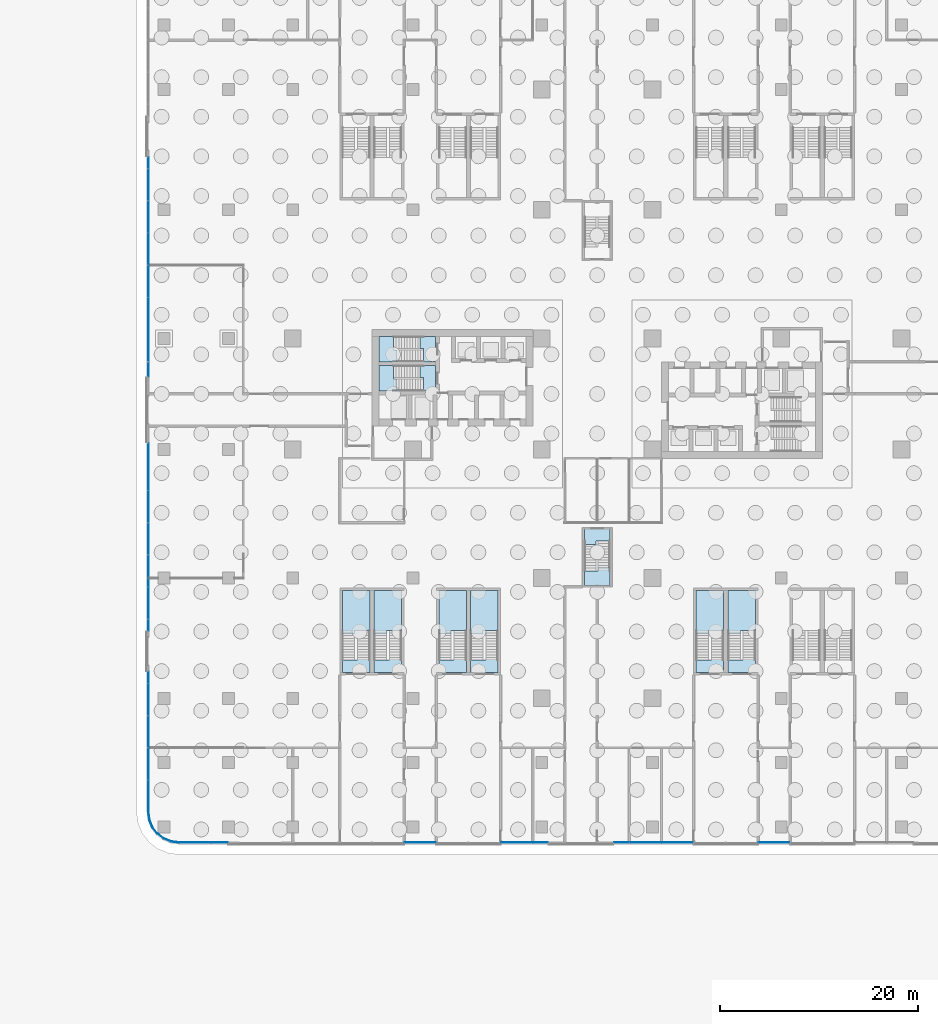
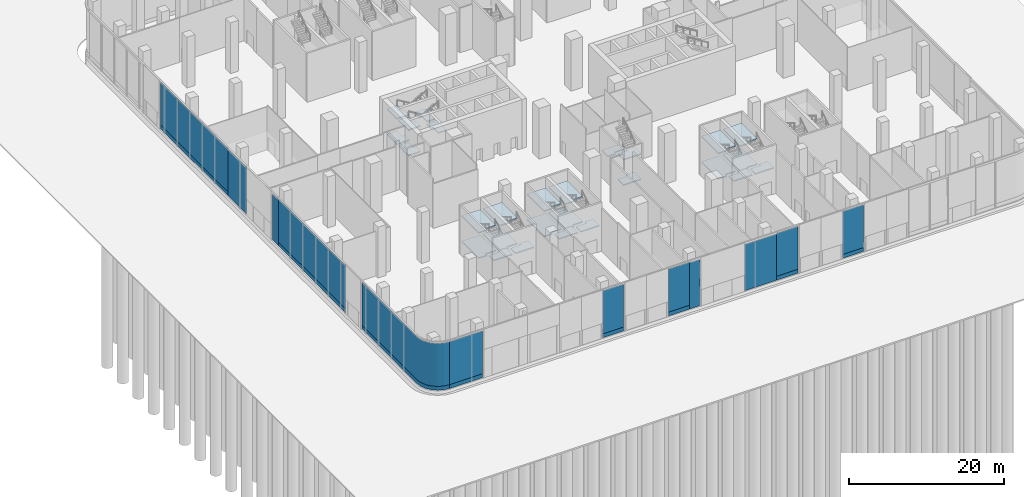
# One storey, part 13 of 27: 27 slabs, 20 plates, 21 elements without a shape of their own.
"""IFC4 building model written with IfcOpenShell, lengths in metres."""

from ifc_helpers import new_model, si_unit, direction, frame, origin, place, context, subcontext, project, spatial, polyline, outline, extrude, source, transform, mapped, material, layer, layer_set, type_object, element, aggregate, save


model = new_model("IFC4")

# Units and contexts
model_context = context("Model", 3, precision=1e-05, world=origin(), true_north=direction((0.0, 1.0)))
body_context = subcontext(model_context, "Body", "Model", "MODEL_VIEW")
ifc_project = project(units=[si_unit("LENGTHUNIT", "METRE"), si_unit("AREAUNIT", "SQUARE_METRE"), si_unit("VOLUMEUNIT", "CUBIC_METRE"), si_unit("PLANEANGLEUNIT", "RADIAN"), si_unit("MASSUNIT", "GRAM", prefix="KILO")], contexts=[model_context])

# Site, building, storey
site_placement = place(None, origin())
site = spatial("IfcSite", under=ifc_project, at=site_placement, CompositionType="ELEMENT")
building_placement = place(site_placement, origin())
building = spatial("IfcBuilding", under=site, at=building_placement, Name="Trellis Farm Tower", CompositionType="ELEMENT")
storey_placement = place(building_placement, origin())
storey = spatial("IfcBuildingStorey", under=building, at=storey_placement, Name="L00", CompositionType="ELEMENT", Elevation=0.0)

# Stair, slab
ifc_material_1 = material(Name="Concrete C50/60", Category="concrete")
stair_type_1 = type_object("IfcStairType", Name="PODIUM EXIT STAIR 48 RISERS 167 MM 1250 WIDE", PredefinedType="HALF_TURN_STAIR", material=ifc_material_1)
placement_1 = place(storey_placement, origin())
stair_1 = element("IfcStair", 1, at=placement_1, inside=storey, type_object=stair_type_1, Name="Podium exit stair STP5A", PredefinedType="HALF_TURN_STAIR")
ifc_layer_1 = layer(ifc_material_1, 0.179931640625)
ifc_layer_set_1 = layer_set([ifc_layer_1], Name="CORE STAIR LANDING 180 CONCRETE C50/60")
slab_type = type_object("IfcSlabType", Name="CORE STAIR LANDING 180 CONCRETE C50/60", PredefinedType="LANDING", material=ifc_layer_set_1)
placement_2 = place(storey_placement, frame((0.0, 0.0, 3.820068359375)))
slab_1 = element("IfcSlab", 2, at=placement_2, type_object=slab_type, Name="STP5A landing 2", PredefinedType="LANDING", context=body_context, shape_type="SweptSolid", body=[
    extrude(outline(polyline([(-22.969970703125, -28.14990234375), (-25.75, -28.14990234375), (-25.75, -26.89990234375), (-25.75, -26.889892578125), (-24.5, -26.889892578125), (-24.5, -26.89990234375), (-24.219970703125, -26.89990234375), (-24.219970703125, -26.53759765625), (-22.969970703125, -26.53759765625), (-22.969970703125, -26.89990234375), (-22.969970703125, -28.14990234375)])), origin(), (0.0, 0.0, 1.0), 0.179931640625),
])

stair_2 = element("IfcStair", 3, at=placement_1, inside=storey, type_object=stair_type_1, Name="Podium exit stair STP5B", PredefinedType="HALF_TURN_STAIR")
slab_2 = element("IfcSlab", 4, at=placement_2, type_object=slab_type, Name="STP5B landing 2", PredefinedType="LANDING", context=body_context, shape_type="SweptSolid", body=[
    extrude(outline(polyline([(-19.75, -28.14990234375), (-22.530029296875, -28.14990234375), (-22.530029296875, -26.89990234375), (-22.530029296875, -26.889892578125), (-21.280029296875, -26.889892578125), (-21.280029296875, -26.89990234375), (-21.0, -26.89990234375), (-21.0, -26.53759765625), (-19.75, -26.53759765625), (-19.75, -26.89990234375), (-19.75, -28.14990234375)])), origin(), (0.0, 0.0, 1.0), 0.179931640625),
])

stair_3 = element("IfcStair", 5, at=placement_1, inside=storey, type_object=stair_type_1, Name="Podium exit stair STP6A", PredefinedType="HALF_TURN_STAIR")
slab_3 = element("IfcSlab", 6, at=placement_2, type_object=slab_type, Name="STP6A landing 2", PredefinedType="LANDING", context=body_context, shape_type="SweptSolid", body=[
    extrude(outline(polyline([(-13.219970703125, -28.14990234375), (-16.0, -28.14990234375), (-16.0, -26.89990234375), (-16.0, -26.889892578125), (-14.75, -26.889892578125), (-14.75, -26.89990234375), (-14.469970703125, -26.89990234375), (-14.469970703125, -26.53759765625), (-13.219970703125, -26.53759765625), (-13.219970703125, -26.89990234375), (-13.219970703125, -28.14990234375)])), origin(), (0.0, 0.0, 1.0), 0.179931640625),
])

stair_4 = element("IfcStair", 7, at=placement_1, inside=storey, type_object=stair_type_1, Name="Podium exit stair STP6B", PredefinedType="HALF_TURN_STAIR")
slab_4 = element("IfcSlab", 8, at=placement_2, type_object=slab_type, Name="STP6B landing 2", PredefinedType="LANDING", context=body_context, shape_type="SweptSolid", body=[
    extrude(outline(polyline([(-10.0, -28.14990234375), (-12.780029296875, -28.14990234375), (-12.780029296875, -26.89990234375), (-12.780029296875, -26.889892578125), (-11.530029296875, -26.889892578125), (-11.530029296875, -26.89990234375), (-11.25, -26.89990234375), (-11.25, -26.53759765625), (-10.0, -26.53759765625), (-10.0, -26.89990234375), (-10.0, -28.14990234375)])), origin(), (0.0, 0.0, 1.0), 0.179931640625),
])

stair_5 = element("IfcStair", 9, at=placement_1, inside=storey, type_object=stair_type_1, Name="Podium exit stair STP7A", PredefinedType="HALF_TURN_STAIR")
slab_5 = element("IfcSlab", 10, at=placement_2, type_object=slab_type, Name="STP7A landing 2", PredefinedType="LANDING", context=body_context, shape_type="SweptSolid", body=[
    extrude(outline(polyline([(12.780029296875, -28.14990234375), (10.0, -28.14990234375), (10.0, -26.89990234375), (10.0, -26.889892578125), (11.25, -26.889892578125), (11.25, -26.89990234375), (11.530029296875, -26.89990234375), (11.530029296875, -26.53759765625), (12.780029296875, -26.53759765625), (12.780029296875, -26.89990234375), (12.780029296875, -28.14990234375)])), origin(), (0.0, 0.0, 1.0), 0.179931640625),
])

stair_6 = element("IfcStair", 11, at=placement_1, inside=storey, type_object=stair_type_1, Name="Podium exit stair STP7B", PredefinedType="HALF_TURN_STAIR")
slab_6 = element("IfcSlab", 12, at=placement_2, type_object=slab_type, Name="STP7B landing 2", PredefinedType="LANDING", context=body_context, shape_type="SweptSolid", body=[
    extrude(outline(polyline([(16.0, -28.14990234375), (13.219970703125, -28.14990234375), (13.219970703125, -26.89990234375), (13.219970703125, -26.889892578125), (14.469970703125, -26.889892578125), (14.469970703125, -26.89990234375), (14.75, -26.89990234375), (14.75, -26.53759765625), (16.0, -26.53759765625), (16.0, -26.89990234375), (16.0, -28.14990234375)])), origin(), (0.0, 0.0, 1.0), 0.179931640625),
])

# Curtain wall, plate
ifc_material_2 = material(Name="Aluminium and glass curtain wall", Category="aluminium")
ifc_layer_2 = layer(ifc_material_2, 0.201904296875)
ifc_layer_set_2 = layer_set([ifc_layer_2], Name="SHOPFRONT CURTAIN WALL CW2")
curtain_wall_type_1 = type_object("IfcCurtainWallType", Name="SHOPFRONT CURTAIN WALL CW2", PredefinedType="NOTDEFINED", material=ifc_layer_set_2)
curtain_wall_1 = element("IfcCurtainWall", 13, at=placement_1, inside=storey, type_object=curtain_wall_type_1, Name="CW2 012", PredefinedType="NOTDEFINED")
ifc_material_3 = material(Name="Clear insulated glass", Category="glass")
ifc_layer_3 = layer(ifc_material_3, 0.052001953125)
ifc_layer_set_3 = layer_set([ifc_layer_3], Name="CW2 GLASS PANEL 52")
plate_type_1 = type_object("IfcPlateType", Name="CW2 GLASS PANEL 52", PredefinedType="CURTAIN_PANEL", material=ifc_layer_set_3)
placement_3 = place(storey_placement, frame((0.0, 0.0, 0.60009765625)))
plate_1 = element("IfcPlate", 14, at=placement_3, type_object=plate_type_1, Name="PL2 012", PredefinedType="CURTAIN_PANEL", context=body_context, shape_type="SweptSolid", body=[
    extrude(outline(polyline([(-45.35009765625, 23.919921875), (-45.35009765625, 6.5), (-45.298095703125, 6.5), (-45.298095703125, 23.919921875), (-45.35009765625, 23.919921875)])), origin(), (0.0, 0.0, 1.0), 6.7998046875),
])

curtain_wall_2 = element("IfcCurtainWall", 15, at=placement_1, inside=storey, type_object=curtain_wall_type_1, Name="CW2 013", PredefinedType="NOTDEFINED")
plate_2 = element("IfcPlate", 16, at=placement_3, type_object=plate_type_1, Name="PL2 013", PredefinedType="CURTAIN_PANEL", context=body_context, shape_type="SweptSolid", body=[
    extrude(outline(polyline([(-45.35009765625, -6.5), (-45.35009765625, -23.919921875), (-45.298095703125, -23.919921875), (-45.298095703125, -6.5), (-45.35009765625, -6.5)])), origin(), (0.0, 0.0, 1.0), 6.7998046875),
])

curtain_wall_3 = element("IfcCurtainWall", 17, at=placement_1, inside=storey, type_object=curtain_wall_type_1, Name="CW2 014", PredefinedType="NOTDEFINED")
plate_3 = element("IfcPlate", 18, at=placement_3, type_object=plate_type_1, Name="PL2 014", PredefinedType="CURTAIN_PANEL", context=body_context, shape_type="SweptSolid", body=[
    extrude(outline(polyline([(-45.35009765625, -28.080078125), (-45.35009765625, -42.240234375), (-45.2431640625, -43.052001953125), (-44.93359375, -43.79931640625), (-44.441162109375, -44.441162109375), (-43.79931640625, -44.93359375), (-43.052001953125, -45.2431640625), (-42.240234375, -45.35009765625), (-42.23681640625, -45.298095703125), (-43.038330078125, -45.1923828125), (-43.773193359375, -44.88818359375), (-44.404052734375, -44.404052734375), (-44.88818359375, -43.773193359375), (-45.1923828125, -43.038330078125), (-45.298095703125, -42.23681640625), (-45.298095703125, -28.080078125), (-45.35009765625, -28.080078125)])), origin(), (0.0, 0.0, 1.0), 6.7998046875),
])

curtain_wall_4 = element("IfcCurtainWall", 19, at=placement_1, inside=storey, type_object=curtain_wall_type_1, Name="CW2 015", PredefinedType="NOTDEFINED")
plate_4 = element("IfcPlate", 20, at=placement_3, type_object=plate_type_1, Name="PL2 015", PredefinedType="CURTAIN_PANEL", context=body_context, shape_type="SweptSolid", body=[
    extrude(outline(polyline([(-42.240234375, -45.35009765625), (-37.330078125, -45.35009765625), (-37.330078125, -45.298095703125), (-42.23681640625, -45.298095703125), (-42.240234375, -45.35009765625)])), origin(), (0.0, 0.0, 1.0), 6.7998046875),
])

curtain_wall_5 = element("IfcCurtainWall", 21, at=placement_1, inside=storey, type_object=curtain_wall_type_1, Name="CW2 016", PredefinedType="NOTDEFINED")
plate_5 = element("IfcPlate", 22, at=placement_3, type_object=plate_type_1, Name="PL2 016", PredefinedType="CURTAIN_PANEL", context=body_context, shape_type="SweptSolid", body=[
    extrude(outline(polyline([(-19.419921875, -45.35009765625), (-16.330078125, -45.35009765625), (-16.330078125, -45.298095703125), (-19.419921875, -45.298095703125), (-19.419921875, -45.35009765625)])), origin(), (0.0, 0.0, 1.0), 6.7998046875),
])

curtain_wall_6 = element("IfcCurtainWall", 23, at=placement_1, inside=storey, type_object=curtain_wall_type_1, Name="CW2 017", PredefinedType="NOTDEFINED")
plate_6 = element("IfcPlate", 24, at=placement_3, type_object=plate_type_1, Name="PL2 017", PredefinedType="CURTAIN_PANEL", context=body_context, shape_type="SweptSolid", body=[
    extrude(outline(polyline([(-9.669921875, -45.35009765625), (-6.5, -45.35009765625), (-6.5, -45.298095703125), (-9.669921875, -45.298095703125), (-9.669921875, -45.35009765625)])), origin(), (0.0, 0.0, 1.0), 6.7998046875),
])

curtain_wall_7 = element("IfcCurtainWall", 25, at=placement_1, inside=storey, type_object=curtain_wall_type_1, Name="CW2 018", PredefinedType="NOTDEFINED")
plate_7 = element("IfcPlate", 26, at=placement_3, type_object=plate_type_1, Name="PL2 018", PredefinedType="CURTAIN_PANEL", context=body_context, shape_type="SweptSolid", body=[
    extrude(outline(polyline([(6.5, -45.35009765625), (9.669921875, -45.35009765625), (9.669921875, -45.298095703125), (6.5, -45.298095703125), (6.5, -45.35009765625)])), origin(), (0.0, 0.0, 1.0), 6.7998046875),
])

curtain_wall_8 = element("IfcCurtainWall", 27, at=placement_1, inside=storey, type_object=curtain_wall_type_1, Name="CW2 019", PredefinedType="NOTDEFINED")
plate_8 = element("IfcPlate", 28, at=placement_3, type_object=plate_type_1, Name="PL2 019", PredefinedType="CURTAIN_PANEL", context=body_context, shape_type="SweptSolid", body=[
    extrude(outline(polyline([(16.330078125, -45.35009765625), (19.419921875, -45.35009765625), (19.419921875, -45.298095703125), (16.330078125, -45.298095703125), (16.330078125, -45.35009765625)])), origin(), (0.0, 0.0, 1.0), 6.7998046875),
])

# Plate
ifc_material_4 = material(Name="Sandstone faced insulated panel", Category="masonry")
ifc_layer_4 = layer(ifc_material_4, 0.054931640625)
ifc_layer_set_4 = layer_set([ifc_layer_4], Name="CW2 STONE SPANDREL PANEL 55")
plate_type_2 = type_object("IfcPlateType", Name="CW2 STONE SPANDREL PANEL 55", PredefinedType="CURTAIN_PANEL", material=ifc_layer_set_4)
plate_9 = element("IfcPlate", 29, at=placement_1, type_object=plate_type_2, Name="PS2 012", PredefinedType="CURTAIN_PANEL", context=body_context, shape_type="SweptSolid", body=[
    extrude(outline(polyline([(-45.35009765625, 23.919921875), (-45.35009765625, 6.5), (-45.294921875, 6.5), (-45.294921875, 23.919921875), (-45.35009765625, 23.919921875)])), origin(), (0.0, 0.0, 1.0), 0.60009765625),
])

aggregate(curtain_wall_1, [plate_1, plate_9])

plate_10 = element("IfcPlate", 30, at=placement_1, type_object=plate_type_2, Name="PS2 013", PredefinedType="CURTAIN_PANEL", context=body_context, shape_type="SweptSolid", body=[
    extrude(outline(polyline([(-45.35009765625, -6.5), (-45.35009765625, -23.919921875), (-45.294921875, -23.919921875), (-45.294921875, -6.5), (-45.35009765625, -6.5)])), origin(), (0.0, 0.0, 1.0), 0.60009765625),
])

aggregate(curtain_wall_2, [plate_2, plate_10])

plate_11 = element("IfcPlate", 31, at=placement_1, type_object=plate_type_2, Name="PS2 014", PredefinedType="CURTAIN_PANEL", context=body_context, shape_type="SweptSolid", body=[
    extrude(outline(polyline([(-45.35009765625, -28.080078125), (-45.35009765625, -42.240234375), (-45.2431640625, -43.052001953125), (-44.93359375, -43.79931640625), (-44.441162109375, -44.441162109375), (-43.79931640625, -44.93359375), (-43.052001953125, -45.2431640625), (-42.240234375, -45.35009765625), (-42.236572265625, -45.294921875), (-43.03759765625, -45.189453125), (-43.771728515625, -44.885498046875), (-44.40185546875, -44.40185546875), (-44.885498046875, -43.771728515625), (-45.189453125, -43.03759765625), (-45.294921875, -42.236572265625), (-45.294921875, -28.080078125), (-45.35009765625, -28.080078125)])), origin(), (0.0, 0.0, 1.0), 0.60009765625),
])

aggregate(curtain_wall_3, [plate_3, plate_11])

plate_12 = element("IfcPlate", 32, at=placement_1, type_object=plate_type_2, Name="PS2 015", PredefinedType="CURTAIN_PANEL", context=body_context, shape_type="SweptSolid", body=[
    extrude(outline(polyline([(-42.240234375, -45.35009765625), (-37.330078125, -45.35009765625), (-37.330078125, -45.294921875), (-42.236572265625, -45.294921875), (-42.240234375, -45.35009765625)])), origin(), (0.0, 0.0, 1.0), 0.60009765625),
])

aggregate(curtain_wall_4, [plate_4, plate_12])

plate_13 = element("IfcPlate", 33, at=placement_1, type_object=plate_type_2, Name="PS2 016", PredefinedType="CURTAIN_PANEL", context=body_context, shape_type="SweptSolid", body=[
    extrude(outline(polyline([(-19.419921875, -45.35009765625), (-16.330078125, -45.35009765625), (-16.330078125, -45.294921875), (-19.419921875, -45.294921875), (-19.419921875, -45.35009765625)])), origin(), (0.0, 0.0, 1.0), 0.60009765625),
])

aggregate(curtain_wall_5, [plate_5, plate_13])

plate_14 = element("IfcPlate", 34, at=placement_1, type_object=plate_type_2, Name="PS2 017", PredefinedType="CURTAIN_PANEL", context=body_context, shape_type="SweptSolid", body=[
    extrude(outline(polyline([(-9.669921875, -45.35009765625), (-6.5, -45.35009765625), (-6.5, -45.294921875), (-9.669921875, -45.294921875), (-9.669921875, -45.35009765625)])), origin(), (0.0, 0.0, 1.0), 0.60009765625),
])

aggregate(curtain_wall_6, [plate_6, plate_14])

plate_15 = element("IfcPlate", 35, at=placement_1, type_object=plate_type_2, Name="PS2 018", PredefinedType="CURTAIN_PANEL", context=body_context, shape_type="SweptSolid", body=[
    extrude(outline(polyline([(6.5, -45.35009765625), (9.669921875, -45.35009765625), (9.669921875, -45.294921875), (6.5, -45.294921875), (6.5, -45.35009765625)])), origin(), (0.0, 0.0, 1.0), 0.60009765625),
])

aggregate(curtain_wall_7, [plate_7, plate_15])

plate_16 = element("IfcPlate", 36, at=placement_1, type_object=plate_type_2, Name="PS2 019", PredefinedType="CURTAIN_PANEL", context=body_context, shape_type="SweptSolid", body=[
    extrude(outline(polyline([(16.330078125, -45.35009765625), (19.419921875, -45.35009765625), (19.419921875, -45.294921875), (16.330078125, -45.294921875), (16.330078125, -45.35009765625)])), origin(), (0.0, 0.0, 1.0), 0.60009765625),
])

aggregate(curtain_wall_8, [plate_8, plate_16])

# Curtain wall, plate
ifc_layer_5 = layer(ifc_material_2, 0.2099609375)
ifc_layer_set_5 = layer_set([ifc_layer_5], Name="LOBBY CURTAIN WALL CW4")
curtain_wall_type_2 = type_object("IfcCurtainWallType", Name="LOBBY CURTAIN WALL CW4", PredefinedType="NOTDEFINED", material=ifc_layer_set_5)
curtain_wall_9 = element("IfcCurtainWall", 37, at=placement_1, inside=storey, type_object=curtain_wall_type_2, Name="CW4 005", PredefinedType="NOTDEFINED")
ifc_layer_6 = layer(ifc_material_3, 0.06005859375)
ifc_layer_set_6 = layer_set([ifc_layer_6], Name="CW4 GLASS PANEL 60")
plate_type_3 = type_object("IfcPlateType", Name="CW4 GLASS PANEL 60", PredefinedType="CURTAIN_PANEL", material=ifc_layer_set_6)
plate_17 = element("IfcPlate", 38, at=placement_1, type_object=plate_type_3, Name="PL4 005", PredefinedType="CURTAIN_PANEL", context=body_context, shape_type="SweptSolid", body=[
    extrude(outline(polyline([(-45.35009765625, 6.5), (-45.35009765625, 1.72509765625), (-45.2900390625, 1.72509765625), (-45.2900390625, 6.5), (-45.35009765625, 6.5)])), origin(), (0.0, 0.0, 1.0), 7.300048828125),
])
aggregate(curtain_wall_9, [plate_17])

curtain_wall_10 = element("IfcCurtainWall", 39, at=placement_1, inside=storey, type_object=curtain_wall_type_2, Name="CW4 006", PredefinedType="NOTDEFINED")
plate_18 = element("IfcPlate", 40, at=placement_1, type_object=plate_type_3, Name="PL4 006", PredefinedType="CURTAIN_PANEL", context=body_context, shape_type="SweptSolid", body=[
    extrude(outline(polyline([(-45.35009765625, -4.97509765625), (-45.35009765625, -6.5), (-45.2900390625, -6.5), (-45.2900390625, -4.97509765625), (-45.35009765625, -4.97509765625)])), origin(), (0.0, 0.0, 1.0), 7.300048828125),
])
aggregate(curtain_wall_10, [plate_18])

curtain_wall_11 = element("IfcCurtainWall", 41, at=placement_1, inside=storey, type_object=curtain_wall_type_2, Name="CW4 007", PredefinedType="NOTDEFINED")
plate_19 = element("IfcPlate", 42, at=placement_1, type_object=plate_type_3, Name="PL4 007", PredefinedType="CURTAIN_PANEL", context=body_context, shape_type="SweptSolid", body=[
    extrude(outline(polyline([(-6.5, -45.35009765625), (-4.97509765625, -45.35009765625), (-4.97509765625, -45.2900390625), (-6.5, -45.2900390625), (-6.5, -45.35009765625)])), origin(), (0.0, 0.0, 1.0), 7.300048828125),
])
aggregate(curtain_wall_11, [plate_19])

curtain_wall_12 = element("IfcCurtainWall", 43, at=placement_1, inside=storey, type_object=curtain_wall_type_2, Name="CW4 008", PredefinedType="NOTDEFINED")
plate_20 = element("IfcPlate", 44, at=placement_1, type_object=plate_type_3, Name="PL4 008", PredefinedType="CURTAIN_PANEL", context=body_context, shape_type="SweptSolid", body=[
    extrude(outline(polyline([(1.72509765625, -45.35009765625), (6.5, -45.35009765625), (6.5, -45.2900390625), (1.72509765625, -45.2900390625), (1.72509765625, -45.35009765625)])), origin(), (0.0, 0.0, 1.0), 7.300048828125),
])
aggregate(curtain_wall_12, [plate_20])

# Stair, slabs
stair_type_2 = type_object("IfcStairType", Name="CORE EXIT STAIR 48 RISERS 167 MM", PredefinedType="HALF_TURN_STAIR", material=ifc_material_1)
stair_7 = element("IfcStair", 45, at=placement_1, inside=storey, type_object=stair_type_2, Name="Exit stair S", PredefinedType="HALF_TURN_STAIR")
shared_shape_1 = source(origin(), body_context, "Body", "SweptSolid", [
    extrude(outline(polyline([(1.300048828125, -19.35009765625), (-1.300048828125, -19.35009765625), (-1.300048828125, -17.875), (-1.300048828125, -17.864990234375), (-0.10009765625, -17.864990234375), (-0.10009765625, -17.875), (0.10009765625, -17.875), (0.10009765625, -17.512451171875), (1.300048828125, -17.512451171875), (1.300048828125, -17.875), (1.300048828125, -19.35009765625)])), origin(), (0.0, 0.0, 1.0), 0.179931640625),
])
placement_4 = place(storey_placement, frame((0.0, 0.0, 1.820068359375)))
slab_7 = element("IfcSlab", 46, at=placement_4, type_object=slab_type, Name="STS landing 1", PredefinedType="LANDING", context=body_context, shape_type="MappedRepresentation", body=[
    mapped(shared_shape_1, transform((0.0, 0.0, 0.0))),
])
placement_5 = place(storey_placement, frame((0.0, 0.0, 5.820068359375)))
slab_8 = element("IfcSlab", 47, at=placement_5, type_object=slab_type, Name="STS landing 3", PredefinedType="LANDING", context=body_context, shape_type="MappedRepresentation", body=[
    mapped(shared_shape_1, transform((0.0, 0.0, 0.0))),
])
shared_shape_2 = source(origin(), body_context, "Body", "SweptSolid", [
    extrude(outline(polyline([(-0.10009765625, -15.21240234375), (-1.300048828125, -15.21240234375), (-1.300048828125, -14.85009765625), (-1.300048828125, -13.64990234375), (1.300048828125, -13.64990234375), (1.300048828125, -14.85009765625), (1.300048828125, -14.860107421875), (0.10009765625, -14.860107421875), (0.10009765625, -14.85009765625), (-0.10009765625, -14.85009765625), (-0.10009765625, -15.21240234375)])), origin(), (0.0, 0.0, 1.0), 0.179931640625),
])
slab_9 = element("IfcSlab", 48, at=placement_2, type_object=slab_type, Name="STS landing 2", PredefinedType="LANDING", context=body_context, shape_type="MappedRepresentation", body=[
    mapped(shared_shape_2, transform((0.0, 0.0, 0.0))),
])
aggregate(stair_7, [slab_7, slab_9, slab_8])

# Slab
shared_shape_3 = source(origin(), body_context, "Body", "SweptSolid", [
    extrude(outline(polyline([(-24.5, -24.237548828125), (-25.75, -24.237548828125), (-25.75, -23.875), (-25.75, -19.85009765625), (-22.969970703125, -19.85009765625), (-22.969970703125, -23.875), (-22.969970703125, -23.885009765625), (-24.219970703125, -23.885009765625), (-24.219970703125, -23.875), (-24.5, -23.875), (-24.5, -24.237548828125)])), origin(), (0.0, 0.0, 1.0), 0.179931640625),
])
slab_10 = element("IfcSlab", 49, at=placement_4, type_object=slab_type, Name="STP5A landing 1", PredefinedType="LANDING", context=body_context, shape_type="MappedRepresentation", body=[
    mapped(shared_shape_3, transform((0.0, 0.0, 0.0))),
])

slab_11 = element("IfcSlab", 50, at=placement_5, type_object=slab_type, Name="STP5A landing 3", PredefinedType="LANDING", context=body_context, shape_type="MappedRepresentation", body=[
    mapped(shared_shape_3, transform((0.0, 0.0, 0.0))),
])

aggregate(stair_1, [slab_10, slab_1, slab_11])

shared_shape_4 = source(origin(), body_context, "Body", "SweptSolid", [
    extrude(outline(polyline([(-21.280029296875, -24.237548828125), (-22.530029296875, -24.237548828125), (-22.530029296875, -23.875), (-22.530029296875, -19.85009765625), (-19.75, -19.85009765625), (-19.75, -23.875), (-19.75, -23.885009765625), (-21.0, -23.885009765625), (-21.0, -23.875), (-21.280029296875, -23.875), (-21.280029296875, -24.237548828125)])), origin(), (0.0, 0.0, 1.0), 0.179931640625),
])
slab_12 = element("IfcSlab", 51, at=placement_4, type_object=slab_type, Name="STP5B landing 1", PredefinedType="LANDING", context=body_context, shape_type="MappedRepresentation", body=[
    mapped(shared_shape_4, transform((0.0, 0.0, 0.0))),
])

slab_13 = element("IfcSlab", 52, at=placement_5, type_object=slab_type, Name="STP5B landing 3", PredefinedType="LANDING", context=body_context, shape_type="MappedRepresentation", body=[
    mapped(shared_shape_4, transform((0.0, 0.0, 0.0))),
])

aggregate(stair_2, [slab_12, slab_2, slab_13])

shared_shape_5 = source(origin(), body_context, "Body", "SweptSolid", [
    extrude(outline(polyline([(-14.75, -24.237548828125), (-16.0, -24.237548828125), (-16.0, -23.875), (-16.0, -19.85009765625), (-13.219970703125, -19.85009765625), (-13.219970703125, -23.875), (-13.219970703125, -23.885009765625), (-14.469970703125, -23.885009765625), (-14.469970703125, -23.875), (-14.75, -23.875), (-14.75, -24.237548828125)])), origin(), (0.0, 0.0, 1.0), 0.179931640625),
])
slab_14 = element("IfcSlab", 53, at=placement_4, type_object=slab_type, Name="STP6A landing 1", PredefinedType="LANDING", context=body_context, shape_type="MappedRepresentation", body=[
    mapped(shared_shape_5, transform((0.0, 0.0, 0.0))),
])

slab_15 = element("IfcSlab", 54, at=placement_5, type_object=slab_type, Name="STP6A landing 3", PredefinedType="LANDING", context=body_context, shape_type="MappedRepresentation", body=[
    mapped(shared_shape_5, transform((0.0, 0.0, 0.0))),
])

aggregate(stair_3, [slab_14, slab_3, slab_15])

shared_shape_6 = source(origin(), body_context, "Body", "SweptSolid", [
    extrude(outline(polyline([(-11.530029296875, -24.237548828125), (-12.780029296875, -24.237548828125), (-12.780029296875, -23.875), (-12.780029296875, -19.85009765625), (-10.0, -19.85009765625), (-10.0, -23.875), (-10.0, -23.885009765625), (-11.25, -23.885009765625), (-11.25, -23.875), (-11.530029296875, -23.875), (-11.530029296875, -24.237548828125)])), origin(), (0.0, 0.0, 1.0), 0.179931640625),
])
slab_16 = element("IfcSlab", 55, at=placement_4, type_object=slab_type, Name="STP6B landing 1", PredefinedType="LANDING", context=body_context, shape_type="MappedRepresentation", body=[
    mapped(shared_shape_6, transform((0.0, 0.0, 0.0))),
])

slab_17 = element("IfcSlab", 56, at=placement_5, type_object=slab_type, Name="STP6B landing 3", PredefinedType="LANDING", context=body_context, shape_type="MappedRepresentation", body=[
    mapped(shared_shape_6, transform((0.0, 0.0, 0.0))),
])

aggregate(stair_4, [slab_16, slab_4, slab_17])

shared_shape_7 = source(origin(), body_context, "Body", "SweptSolid", [
    extrude(outline(polyline([(11.25, -24.237548828125), (10.0, -24.237548828125), (10.0, -23.875), (10.0, -19.85009765625), (12.780029296875, -19.85009765625), (12.780029296875, -23.875), (12.780029296875, -23.885009765625), (11.530029296875, -23.885009765625), (11.530029296875, -23.875), (11.25, -23.875), (11.25, -24.237548828125)])), origin(), (0.0, 0.0, 1.0), 0.179931640625),
])
slab_18 = element("IfcSlab", 57, at=placement_4, type_object=slab_type, Name="STP7A landing 1", PredefinedType="LANDING", context=body_context, shape_type="MappedRepresentation", body=[
    mapped(shared_shape_7, transform((0.0, 0.0, 0.0))),
])

slab_19 = element("IfcSlab", 58, at=placement_5, type_object=slab_type, Name="STP7A landing 3", PredefinedType="LANDING", context=body_context, shape_type="MappedRepresentation", body=[
    mapped(shared_shape_7, transform((0.0, 0.0, 0.0))),
])

aggregate(stair_5, [slab_18, slab_5, slab_19])

shared_shape_8 = source(origin(), body_context, "Body", "SweptSolid", [
    extrude(outline(polyline([(14.469970703125, -24.237548828125), (13.219970703125, -24.237548828125), (13.219970703125, -23.875), (13.219970703125, -19.85009765625), (16.0, -19.85009765625), (16.0, -23.875), (16.0, -23.885009765625), (14.75, -23.885009765625), (14.75, -23.875), (14.469970703125, -23.875), (14.469970703125, -24.237548828125)])), origin(), (0.0, 0.0, 1.0), 0.179931640625),
])
slab_20 = element("IfcSlab", 59, at=placement_4, type_object=slab_type, Name="STP7B landing 1", PredefinedType="LANDING", context=body_context, shape_type="MappedRepresentation", body=[
    mapped(shared_shape_8, transform((0.0, 0.0, 0.0))),
])

slab_21 = element("IfcSlab", 60, at=placement_5, type_object=slab_type, Name="STP7B landing 3", PredefinedType="LANDING", context=body_context, shape_type="MappedRepresentation", body=[
    mapped(shared_shape_8, transform((0.0, 0.0, 0.0))),
])

aggregate(stair_6, [slab_20, slab_6, slab_21])

# Stair, slabs
stair_8 = element("IfcStair", 61, at=placement_1, inside=storey, type_object=stair_type_2, Name="Exit stair W1", PredefinedType="HALF_TURN_STAIR")
shared_shape_9 = source(origin(), body_context, "Body", "SweptSolid", [
    extrude(outline(polyline([(-20.21240234375, 4.449951171875), (-20.21240234375, 3.25), (-20.574951171875, 3.25), (-22.050048828125, 3.25), (-22.050048828125, 5.800048828125), (-20.574951171875, 5.800048828125), (-20.56494140625, 5.800048828125), (-20.56494140625, 4.60009765625), (-20.574951171875, 4.60009765625), (-20.574951171875, 4.449951171875), (-20.21240234375, 4.449951171875)])), origin(), (0.0, 0.0, 1.0), 0.179931640625),
])
slab_22 = element("IfcSlab", 62, at=placement_4, type_object=slab_type, Name="STW1 landing 1", PredefinedType="LANDING", context=body_context, shape_type="MappedRepresentation", body=[
    mapped(shared_shape_9, transform((0.0, 0.0, 0.0))),
])
slab_23 = element("IfcSlab", 63, at=placement_5, type_object=slab_type, Name="STW1 landing 3", PredefinedType="LANDING", context=body_context, shape_type="MappedRepresentation", body=[
    mapped(shared_shape_9, transform((0.0, 0.0, 0.0))),
])
shared_shape_10 = source(origin(), body_context, "Body", "SweptSolid", [
    extrude(outline(polyline([(-17.56005859375, 3.25), (-17.56005859375, 4.449951171875), (-17.550048828125, 4.449951171875), (-17.550048828125, 4.60009765625), (-17.91259765625, 4.60009765625), (-17.91259765625, 5.800048828125), (-17.550048828125, 5.800048828125), (-16.35009765625, 5.800048828125), (-16.35009765625, 3.25), (-17.550048828125, 3.25), (-17.56005859375, 3.25)])), origin(), (0.0, 0.0, 1.0), 0.179931640625),
])
slab_24 = element("IfcSlab", 64, at=placement_2, type_object=slab_type, Name="STW1 landing 2", PredefinedType="LANDING", context=body_context, shape_type="MappedRepresentation", body=[
    mapped(shared_shape_10, transform((0.0, 0.0, 0.0))),
])
aggregate(stair_8, [slab_22, slab_24, slab_23])

stair_9 = element("IfcStair", 65, at=placement_1, inside=storey, type_object=stair_type_2, Name="Exit stair W2", PredefinedType="HALF_TURN_STAIR")
shared_shape_11 = source(origin(), body_context, "Body", "SweptSolid", [
    extrude(outline(polyline([(-20.21240234375, 1.5), (-20.21240234375, 0.300048828125), (-20.574951171875, 0.300048828125), (-22.050048828125, 0.300048828125), (-22.050048828125, 2.85009765625), (-20.574951171875, 2.85009765625), (-20.56494140625, 2.85009765625), (-20.56494140625, 1.64990234375), (-20.574951171875, 1.64990234375), (-20.574951171875, 1.5), (-20.21240234375, 1.5)])), origin(), (0.0, 0.0, 1.0), 0.179931640625),
])
slab_25 = element("IfcSlab", 66, at=placement_4, type_object=slab_type, Name="STW2 landing 1", PredefinedType="LANDING", context=body_context, shape_type="MappedRepresentation", body=[
    mapped(shared_shape_11, transform((0.0, 0.0, 0.0))),
])
slab_26 = element("IfcSlab", 67, at=placement_5, type_object=slab_type, Name="STW2 landing 3", PredefinedType="LANDING", context=body_context, shape_type="MappedRepresentation", body=[
    mapped(shared_shape_11, transform((0.0, 0.0, 0.0))),
])
shared_shape_12 = source(origin(), body_context, "Body", "SweptSolid", [
    extrude(outline(polyline([(-17.56005859375, 0.300048828125), (-17.56005859375, 1.5), (-17.550048828125, 1.5), (-17.550048828125, 1.64990234375), (-17.91259765625, 1.64990234375), (-17.91259765625, 2.85009765625), (-17.550048828125, 2.85009765625), (-16.35009765625, 2.85009765625), (-16.35009765625, 0.300048828125), (-17.550048828125, 0.300048828125), (-17.56005859375, 0.300048828125)])), origin(), (0.0, 0.0, 1.0), 0.179931640625),
])
slab_27 = element("IfcSlab", 68, at=placement_2, type_object=slab_type, Name="STW2 landing 2", PredefinedType="LANDING", context=body_context, shape_type="MappedRepresentation", body=[
    mapped(shared_shape_12, transform((0.0, 0.0, 0.0))),
])
aggregate(stair_9, [slab_25, slab_27, slab_26])

save(model, "model.ifc")
